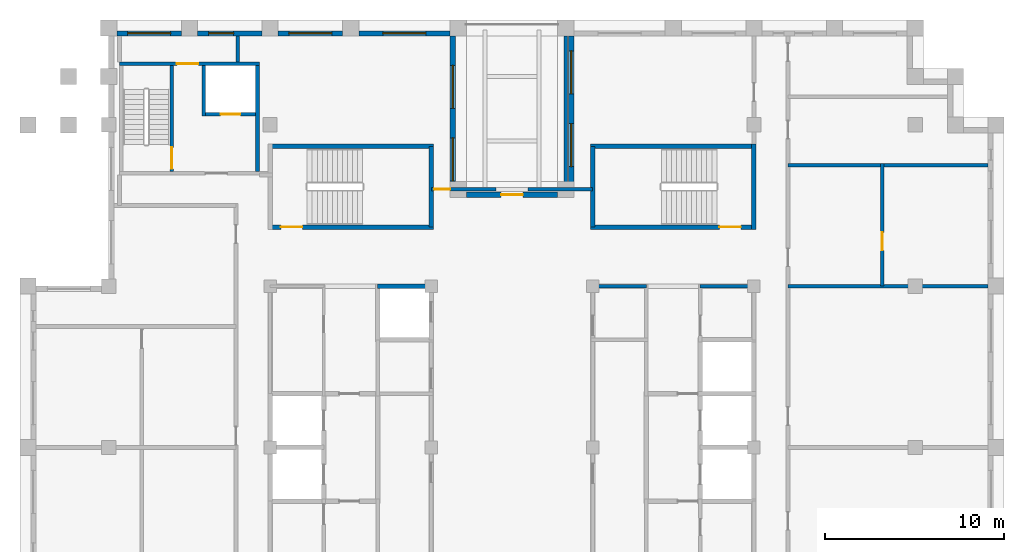
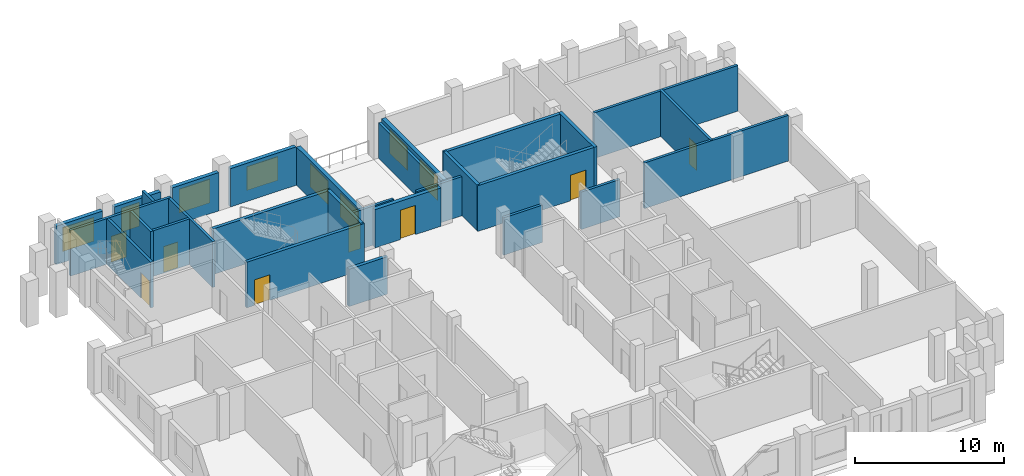
# One storey, part 6 of 9: 29 walls, 8 doors, 8 windows, 16 openings.
"""IFC4 building model written with IfcOpenShell, lengths in metres."""

import ifcopenshell
import ifcopenshell.guid

model = None  # the IFC model being written
_history = None  # IfcOwnerHistory: only IFC2X3 demands one
_inside = {}  # id of a spatial element -> (the spatial element, [elements in it])
_under = {}  # id of a project, library or spatial element -> (it, [spatial elements below it])
_declared = {}  # id of a project -> (the project, [libraries it declares])
_typed = {}  # id of a type object -> (the type object, [elements of that type])
_made_of = {}  # id of a material, layer set ... -> (it, [elements and type objects made of it])


def new_model(schema):
    """Start an empty IFC model of exactly this schema.

    Asked for "IFC4X3", IfcOpenShell would pick the latest addendum, in which some entities
    have other attributes; the version numbers below select the first issue.
    IFC2X3 requires an IfcOwnerHistory on every rooted entity: one is made here for all.
    """
    global model, _history
    if schema == "IFC4X3":
        model = ifcopenshell.file(schema_version=(4, 3, 0, 0))
    else:
        model = ifcopenshell.file(schema=schema)
    _inside.clear()
    _under.clear()
    _declared.clear()
    _typed.clear()
    _made_of.clear()
    _history = None
    if model.schema == "IFC2X3":
        org = make("IfcOrganization", Name="unknown")
        user = make(
            "IfcPersonAndOrganization",
            ThePerson=make("IfcPerson", FamilyName="unknown"),
            TheOrganization=org,
        )
        app = make(
            "IfcApplication",
            ApplicationDeveloper=org,
            Version="unknown",
            ApplicationFullName="unknown",
            ApplicationIdentifier="unknown",
        )
        _history = make(
            "IfcOwnerHistory",
            OwningUser=user,
            OwningApplication=app,
            ChangeAction="ADDED",
            CreationDate=0,
        )
    return model


def make(cls, **values):
    """One entity of the class cls with the attributes given. An attribute that is None is left unset."""
    return model.create_entity(
        cls, **{name: value for name, value in values.items() if value is not None}
    )


def rooted(cls, **values):
    """An entity with a GlobalId (a new one), such as an element, a storey or a relation."""
    return make(cls, GlobalId=ifcopenshell.guid.new(), OwnerHistory=_history, **values)


def si_unit(unit_type, name, prefix=None):
    """IfcSIUnit, for example si_unit("LENGTHUNIT", "METRE", prefix="MILLI")."""
    return make("IfcSIUnit", UnitType=unit_type, Prefix=prefix, Name=name)


def assignment(units):
    """IfcUnitAssignment: the units of a project."""
    return None if units is None else make("IfcUnitAssignment", Units=units)


def point(xyz):
    """IfcCartesianPoint."""
    return None if xyz is None else make("IfcCartesianPoint", Coordinates=xyz)


def direction(xyz):
    """IfcDirection."""
    return None if xyz is None else make("IfcDirection", DirectionRatios=xyz)


def frame(location, z_axis=None, x_axis=None):
    """IfcAxis2Placement3D, a coordinate frame: its origin and axes. An axis left out is left unset."""
    return make(
        "IfcAxis2Placement3D",
        Location=point(location),
        Axis=direction(z_axis),
        RefDirection=direction(x_axis),
    )


def frame_2d(location, x_axis=None):
    """IfcAxis2Placement2D, a coordinate frame in the plane: its origin and x axis."""
    return make(
        "IfcAxis2Placement2D", Location=point(location), RefDirection=direction(x_axis)
    )


def origin():
    """The frame at (0, 0, 0) with its axes left unset."""
    return frame((0.0, 0.0, 0.0))


def place(relative_to, where):
    """IfcLocalPlacement: puts the frame where relative to a parent placement (None: the world)."""
    return make(
        "IfcLocalPlacement", PlacementRelTo=relative_to, RelativePlacement=where
    )


def context(
    kind, dimensions, precision=None, world=None, true_north=None, identifier=None
):
    """IfcGeometricRepresentationContext, for example the 3D "Model" context."""
    return make(
        "IfcGeometricRepresentationContext",
        ContextIdentifier=identifier,
        ContextType=kind,
        CoordinateSpaceDimension=dimensions,
        Precision=precision,
        WorldCoordinateSystem=world,
        TrueNorth=true_north,
    )


def subcontext(parent, identifier, kind, view, scale=None):
    """IfcGeometricRepresentationSubContext, for example "Body" below "Model"."""
    return make(
        "IfcGeometricRepresentationSubContext",
        ContextIdentifier=identifier,
        ContextType=kind,
        ParentContext=parent,
        TargetScale=scale,
        TargetView=view,
    )


def project(units=None, contexts=None):
    """IfcProject with its units and contexts."""
    return rooted(
        "IfcProject",
        Name="project",
        RepresentationContexts=contexts,
        UnitsInContext=assignment(units),
    )


def spatial(cls, under=None, at=None, **own):
    """A site, building, storey or space (cls), placed at a placement, below another one or the project."""
    s = rooted(cls, ObjectPlacement=at, **own)
    if under is not None:
        _under.setdefault(under.id(), (under, []))[1].append(s)
    return s


def profile(cls, at=None, kind="AREA", **sizes):
    """A parametric profile (cls). Its sizes go by their IFC names, for example OverallWidth=200.0."""
    return make(cls, ProfileType=kind, Position=at, **sizes)


def rectangle(**sizes):
    """IfcRectangleProfileDef."""
    return profile("IfcRectangleProfileDef", **sizes)


def extrude(swept, where, along, depth):
    """IfcExtrudedAreaSolid: the profile swept, set in the frame where, extruded along a direction by depth."""
    return make(
        "IfcExtrudedAreaSolid",
        SweptArea=swept,
        Position=where,
        ExtrudedDirection=direction(along),
        Depth=depth,
    )


def shape(context_of_items, identifier, shape_type, items):
    """IfcShapeRepresentation: the items that make up one representation, for example the "Body"."""
    return make(
        "IfcShapeRepresentation",
        ContextOfItems=context_of_items,
        RepresentationIdentifier=identifier,
        RepresentationType=shape_type,
        Items=items,
    )


def material(Name=None, Category=None):
    """IfcMaterial."""
    return make("IfcMaterial", Name=Name, Category=Category)


def layer(
    of_material, thickness, ventilated=None, Name=None, Category=None, Priority=None
):
    """IfcMaterialLayer: one layer of a wall or slab, of a material (None: an air gap)."""
    return make(
        "IfcMaterialLayer",
        Material=of_material,
        LayerThickness=thickness,
        IsVentilated=ventilated,
        Name=Name,
        Category=Category,
        Priority=Priority,
    )


def layer_set(layers, Name=None):
    """IfcMaterialLayerSet."""
    return make("IfcMaterialLayerSet", MaterialLayers=layers, LayerSetName=Name)


def made_of(thing, what):
    """Note that an element or type object is made of a material, layer set ...; save() writes the relation."""
    if what is not None:
        _made_of.setdefault(what.id(), (what, []))[1].append(thing)
    return thing


def type_object(cls, material=None, **own):
    """A type object (cls), such as IfcWallType, which elements share."""
    return made_of(rooted(cls, **own), material)


def element(
    cls,
    number,
    at=None,
    inside=None,
    cuts=None,
    type_object=None,
    material=None,
    context=None,
    identifier="Body",
    shape_type=None,
    held_by="IfcProductDefinitionShape",
    body=None,
    shapes=None,
    **own,
):
    """One element of the class cls, such as IfcWall. Its Tag is "e" and its number.

    at: its placement. inside: the storey or other place that contains it. cuts: it is an
    opening in that element (IfcRelVoidsElement). A single representation is given by context,
    identifier, shape_type and body (its items); several are given by shapes. held_by: the class
    of the entity that holds the representations. save() writes the other relations.
    """
    e = rooted(cls, Tag="e%d" % number, ObjectPlacement=at, **own)
    if body is not None:
        shapes = [shape(context, identifier, shape_type, body)]
    if shapes is not None:
        e.Representation = make(held_by, Representations=shapes)
    if inside is not None:
        _inside.setdefault(inside.id(), (inside, []))[1].append(e)
    if cuts is not None:
        rooted(
            "IfcRelVoidsElement", RelatingBuildingElement=cuts, RelatedOpeningElement=e
        )
    if type_object is not None:
        _typed.setdefault(type_object.id(), (type_object, []))[1].append(e)
    return made_of(e, material)


def fill(opening, filler):
    """IfcRelFillsElement: the door or window that sits in an opening."""
    return rooted(
        "IfcRelFillsElement",
        RelatingOpeningElement=opening,
        RelatedBuildingElement=filler,
    )


def aggregate(whole, parts):
    """IfcRelAggregates: a whole, such as a stair, and the parts it consists of."""
    return rooted("IfcRelAggregates", RelatingObject=whole, RelatedObjects=parts)


def save(model, path):
    """Write the relations noted so far, then the file.

    IfcRelAggregates (storeys below a building ...), IfcRelContainedInSpatialStructure (elements
    in a storey), IfcRelDefinesByType, IfcRelAssociatesMaterial and IfcRelDeclares: one each for
    every whole, place, type object, material and project.
    """
    for whole, parts in _under.values():
        aggregate(whole, parts)
    for where, things in _inside.values():
        rooted(
            "IfcRelContainedInSpatialStructure",
            RelatedElements=things,
            RelatingStructure=where,
        )
    for kind, things in _typed.values():
        rooted("IfcRelDefinesByType", RelatedObjects=things, RelatingType=kind)
    for what, things in _made_of.values():
        rooted("IfcRelAssociatesMaterial", RelatedObjects=things, RelatingMaterial=what)
    for by, libraries in _declared.values():
        rooted("IfcRelDeclares", RelatingContext=by, RelatedDefinitions=libraries)
    model.write(path)


model = new_model("IFC4")

# Units and contexts
model_context = context("Model", 3, precision=1e-05, world=origin(), true_north=direction((0.0, 1.0)))
body_context = subcontext(model_context, "Body", "Model", "MODEL_VIEW")
ifc_project = project(units=[si_unit("LENGTHUNIT", "METRE"), si_unit("AREAUNIT", "SQUARE_METRE"), si_unit("VOLUMEUNIT", "CUBIC_METRE"), si_unit("PLANEANGLEUNIT", "RADIAN"), si_unit("MASSUNIT", "GRAM", prefix="KILO")], contexts=[model_context])

# Site, building, storey
site_placement = place(None, origin())
site = spatial("IfcSite", under=ifc_project, at=site_placement, CompositionType="ELEMENT")
building_placement = place(site_placement, origin())
building = spatial("IfcBuilding", under=site, at=building_placement, Name="Corbelhall Arena Tower", CompositionType="ELEMENT")
storey_placement = place(building_placement, frame((0.0, 0.0, 300.0)))
storey = spatial("IfcBuildingStorey", under=building, at=storey_placement, Name="L65", CompositionType="ELEMENT", Elevation=300.0)

# Wall, openings, windows
ifc_material_1 = material(Name="Precast concrete C40/50 with granite facing", Category="masonry")
ifc_layer_1 = layer(ifc_material_1, 0.300048828125)
ifc_layer_set_1 = layer_set([ifc_layer_1], Name="EV-IW1 Infill panel 300")
wall_type_1 = type_object("IfcWallType", Name="EV-IW1 Infill panel 300", PredefinedType="SOLIDWALL", material=ifc_layer_set_1)
wall_1_placement = place(storey_placement, frame((3.300048828125, 22.949951171875, 0.0), z_axis=(0.0, 0.0, 1.0), x_axis=(0.0, -1.0, 0.0)))
wall_1 = element("IfcWall", 1, at=wall_1_placement, inside=storey, type_object=wall_type_1, Name="Infill panel IW1", PredefinedType="SOLIDWALL", context=body_context, shape_type="SweptSolid", body=[
    extrude(rectangle(XDim=8.5, YDim=0.300048828125, at=frame_2d((4.25, 0.0))), origin(), (0.0, 0.0, 1.0), 3.139892578125),
])
opening_1_placement = place(wall_1_placement, frame((0.824951171875, 0.0, 0.800048828125)))
opening_1 = element("IfcOpeningElement", 2, at=opening_1_placement, cuts=wall_1, Name="Opening WN1", PredefinedType="OPENING", context=body_context, shape_type="SweptSolid", body=[
    extrude(rectangle(XDim=2.39990234375, YDim=1.949951171875, at=frame_2d((1.199951171875, 0.97509765625))), frame((0.0, 0.14990234375, 0.0), z_axis=(0.0, -1.0, 0.0), x_axis=(1.0, 0.0, 0.0)), (0.0, 0.0, 1.0), 0.300048828125),
])
opening_2_placement = place(wall_1_placement, frame((4.875, 0.0, 0.800048828125)))
opening_2 = element("IfcOpeningElement", 3, at=opening_2_placement, cuts=wall_1, Name="Opening WN1", PredefinedType="OPENING", context=body_context, shape_type="SweptSolid", body=[
    extrude(rectangle(XDim=2.39990234375, YDim=1.949951171875, at=frame_2d((1.199951171875, 0.97509765625))), frame((0.0, 0.14990234375, 0.0), z_axis=(0.0, -1.0, 0.0), x_axis=(1.0, 0.0, 0.0)), (0.0, 0.0, 1.0), 0.300048828125),
])
ifc_material_2 = material(Name="Aluminium black anodised", Category="aluminium")
window_type_1 = type_object("IfcWindowType", Name="EV-WN1 Office window", PartitioningType="SINGLE_PANEL", PredefinedType="WINDOW", material=ifc_material_2)
window_1_placement = place(opening_1_placement, origin())
window_1 = element("IfcWindow", 4, at=window_1_placement, inside=storey, type_object=window_type_1, Name="Window WN1", OverallHeight=1.949951171875, OverallWidth=2.39990234375, PartitioningType="SINGLE_PANEL", PredefinedType="WINDOW", context=body_context, shape_type="SweptSolid", body=[
    extrude(rectangle(XDim=2.39990234375, YDim=1.949951171875, at=frame_2d((1.199951171875, 0.97509765625))), frame((0.0, 0.030029296875, 0.0), z_axis=(0.0, -1.0, 0.0), x_axis=(1.0, 0.0, 0.0)), (0.0, 0.0, 1.0), 0.06005859375),
])
fill(opening_1, window_1)
window_2_placement = place(opening_2_placement, origin())
window_2 = element("IfcWindow", 5, at=window_2_placement, inside=storey, type_object=window_type_1, Name="Window WN1", OverallHeight=1.949951171875, OverallWidth=2.39990234375, PartitioningType="SINGLE_PANEL", PredefinedType="WINDOW", context=body_context, shape_type="SweptSolid", body=[
    extrude(rectangle(XDim=2.39990234375, YDim=1.949951171875, at=frame_2d((1.199951171875, 0.97509765625))), frame((0.0, 0.030029296875, 0.0), z_axis=(0.0, -1.0, 0.0), x_axis=(1.0, 0.0, 0.0)), (0.0, 0.0, 1.0), 0.06005859375),
])
fill(opening_2, window_2)

# Wall, opening, door
wall_2_placement = place(storey_placement, frame((-2.550048828125, 14.10009765625, 0.0), z_axis=(0.0, 0.0, 1.0), x_axis=(1.0, 0.0, 0.0)))
wall_2 = element("IfcWall", 6, at=wall_2_placement, inside=storey, type_object=wall_type_1, Name="Infill panel IW1", PredefinedType="SOLIDWALL", context=body_context, shape_type="SweptSolid", body=[
    extrude(rectangle(XDim=5.10009765625, YDim=0.300048828125, at=frame_2d((2.550048828125, 0.0))), origin(), (0.0, 0.0, 1.0), 3.139892578125),
])
opening_3_placement = place(wall_2_placement, frame((1.949951171875, 0.0, 0.0)))
opening_3 = element("IfcOpeningElement", 7, at=opening_3_placement, cuts=wall_2, Name="Opening ED1", PredefinedType="OPENING", context=body_context, shape_type="SweptSolid", body=[
    extrude(rectangle(XDim=1.199951171875, YDim=2.39990234375, at=frame_2d((0.60009765625, 1.199951171875))), frame((0.0, 0.14990234375, 0.0), z_axis=(0.0, -1.0, 0.0), x_axis=(1.0, 0.0, 0.0)), (0.0, 0.0, 1.0), 0.300048828125),
])
door_type_1 = type_object("IfcDoorType", Name="EV-ED1 Terrace door", OperationType="SINGLE_SWING_LEFT", PredefinedType="DOOR", material=ifc_material_2)
door_1_placement = place(opening_3_placement, origin())
door_1 = element("IfcDoor", 8, at=door_1_placement, inside=storey, type_object=door_type_1, Name="Terrace door", OperationType="SINGLE_SWING_LEFT", OverallHeight=2.39990234375, OverallWidth=1.199951171875, PredefinedType="DOOR", context=body_context, shape_type="SweptSolid", body=[
    extrude(rectangle(XDim=1.199951171875, YDim=2.39990234375, at=frame_2d((0.60009765625, 1.199951171875))), frame((0.0, 0.02490234375, 0.0), z_axis=(0.0, -1.0, 0.0), x_axis=(1.0, 0.0, 0.0)), (0.0, 0.0, 1.0), 0.050048828125),
])
fill(opening_3, door_1)

# Wall, openings, windows
wall_3_placement = place(storey_placement, frame((-3.300048828125, 14.449951171875, 0.0), z_axis=(0.0, 0.0, 1.0), x_axis=(0.0, 1.0, 0.0)))
wall_3 = element("IfcWall", 9, at=wall_3_placement, inside=storey, type_object=wall_type_1, Name="Infill panel IW1", PredefinedType="SOLIDWALL", context=body_context, shape_type="SweptSolid", body=[
    extrude(rectangle(XDim=8.5, YDim=0.300048828125, at=frame_2d((4.25, 0.0))), origin(), (0.0, 0.0, 1.0), 3.139892578125),
])
opening_4_placement = place(wall_3_placement, frame((0.425048828125, 0.0, 0.800048828125)))
opening_4 = element("IfcOpeningElement", 10, at=opening_4_placement, cuts=wall_3, Name="Opening WN1", PredefinedType="OPENING", context=body_context, shape_type="SweptSolid", body=[
    extrude(rectangle(XDim=2.39990234375, YDim=1.949951171875, at=frame_2d((1.199951171875, 0.97509765625))), frame((0.0, 0.14990234375, 0.0), z_axis=(0.0, -1.0, 0.0), x_axis=(1.0, 0.0, 0.0)), (0.0, 0.0, 1.0), 0.300048828125),
])
opening_5_placement = place(wall_3_placement, frame((4.47509765625, 0.0, 0.800048828125)))
opening_5 = element("IfcOpeningElement", 11, at=opening_5_placement, cuts=wall_3, Name="Opening WN1", PredefinedType="OPENING", context=body_context, shape_type="SweptSolid", body=[
    extrude(rectangle(XDim=2.39990234375, YDim=1.949951171875, at=frame_2d((1.199951171875, 0.97509765625))), frame((0.0, 0.14990234375, 0.0), z_axis=(0.0, -1.0, 0.0), x_axis=(1.0, 0.0, 0.0)), (0.0, 0.0, 1.0), 0.300048828125),
])
window_3_placement = place(opening_4_placement, origin())
window_3 = element("IfcWindow", 12, at=window_3_placement, inside=storey, type_object=window_type_1, Name="Window WN1", OverallHeight=1.949951171875, OverallWidth=2.39990234375, PartitioningType="SINGLE_PANEL", PredefinedType="WINDOW", context=body_context, shape_type="SweptSolid", body=[
    extrude(rectangle(XDim=2.39990234375, YDim=1.949951171875, at=frame_2d((1.199951171875, 0.97509765625))), frame((0.0, 0.030029296875, 0.0), z_axis=(0.0, -1.0, 0.0), x_axis=(1.0, 0.0, 0.0)), (0.0, 0.0, 1.0), 0.06005859375),
])
fill(opening_4, window_3)
window_4_placement = place(opening_5_placement, origin())
window_4 = element("IfcWindow", 13, at=window_4_placement, inside=storey, type_object=window_type_1, Name="Window WN1", OverallHeight=1.949951171875, OverallWidth=2.39990234375, PartitioningType="SINGLE_PANEL", PredefinedType="WINDOW", context=body_context, shape_type="SweptSolid", body=[
    extrude(rectangle(XDim=2.39990234375, YDim=1.949951171875, at=frame_2d((1.199951171875, 0.97509765625))), frame((0.0, 0.030029296875, 0.0), z_axis=(0.0, -1.0, 0.0), x_axis=(1.0, 0.0, 0.0)), (0.0, 0.0, 1.0), 0.06005859375),
])
fill(opening_5, window_4)

# Wall, opening, window
wall_4_placement = place(storey_placement, frame((-3.449951171875, 23.10009765625, 0.0), z_axis=(0.0, 0.0, 1.0), x_axis=(-1.0, 0.0, 0.0)))
wall_4 = element("IfcWall", 14, at=wall_4_placement, inside=storey, type_object=wall_type_1, Name="Infill panel IW1", PredefinedType="SOLIDWALL", context=body_context, shape_type="SweptSolid", body=[
    extrude(rectangle(XDim=5.10009765625, YDim=0.300048828125, at=frame_2d((2.550048828125, 0.0))), origin(), (0.0, 0.0, 1.0), 3.139892578125),
])
opening_6_placement = place(wall_4_placement, frame((1.35009765625, 0.0, 0.800048828125)))
opening_6 = element("IfcOpeningElement", 15, at=opening_6_placement, cuts=wall_4, Name="Opening WN1", PredefinedType="OPENING", context=body_context, shape_type="SweptSolid", body=[
    extrude(rectangle(XDim=2.39990234375, YDim=1.949951171875, at=frame_2d((1.199951171875, 0.97509765625))), frame((0.0, 0.14990234375, 0.0), z_axis=(0.0, -1.0, 0.0), x_axis=(1.0, 0.0, 0.0)), (0.0, 0.0, 1.0), 0.300048828125),
])
window_5_placement = place(opening_6_placement, origin())
window_5 = element("IfcWindow", 16, at=window_5_placement, inside=storey, type_object=window_type_1, Name="Window WN1", OverallHeight=1.949951171875, OverallWidth=2.39990234375, PartitioningType="SINGLE_PANEL", PredefinedType="WINDOW", context=body_context, shape_type="SweptSolid", body=[
    extrude(rectangle(XDim=2.39990234375, YDim=1.949951171875, at=frame_2d((1.199951171875, 0.97509765625))), frame((0.0, 0.030029296875, 0.0), z_axis=(0.0, -1.0, 0.0), x_axis=(1.0, 0.0, 0.0)), (0.0, 0.0, 1.0), 0.06005859375),
])
fill(opening_6, window_5)

wall_5_placement = place(storey_placement, frame((-9.449951171875, 23.10009765625, 0.0), z_axis=(0.0, 0.0, 1.0), x_axis=(-1.0, 0.0, 0.0)))
wall_5 = element("IfcWall", 17, at=wall_5_placement, inside=storey, type_object=wall_type_1, Name="Infill panel IW1", PredefinedType="SOLIDWALL", context=body_context, shape_type="SweptSolid", body=[
    extrude(rectangle(XDim=3.60009765625, YDim=0.300048828125, at=frame_2d((1.800048828125, 0.0))), origin(), (0.0, 0.0, 1.0), 3.139892578125),
])
opening_7_placement = place(wall_5_placement, frame((0.60009765625, 0.0, 0.800048828125)))
opening_7 = element("IfcOpeningElement", 18, at=opening_7_placement, cuts=wall_5, Name="Opening WN1", PredefinedType="OPENING", context=body_context, shape_type="SweptSolid", body=[
    extrude(rectangle(XDim=2.39990234375, YDim=1.949951171875, at=frame_2d((1.199951171875, 0.97509765625))), frame((0.0, 0.14990234375, 0.0), z_axis=(0.0, -1.0, 0.0), x_axis=(1.0, 0.0, 0.0)), (0.0, 0.0, 1.0), 0.300048828125),
])
window_6_placement = place(opening_7_placement, origin())
window_6 = element("IfcWindow", 19, at=window_6_placement, inside=storey, type_object=window_type_1, Name="Window WN1", OverallHeight=1.949951171875, OverallWidth=2.39990234375, PartitioningType="SINGLE_PANEL", PredefinedType="WINDOW", context=body_context, shape_type="SweptSolid", body=[
    extrude(rectangle(XDim=2.39990234375, YDim=1.949951171875, at=frame_2d((1.199951171875, 0.97509765625))), frame((0.0, 0.030029296875, 0.0), z_axis=(0.0, -1.0, 0.0), x_axis=(1.0, 0.0, 0.0)), (0.0, 0.0, 1.0), 0.06005859375),
])
fill(opening_7, window_6)

wall_6_placement = place(storey_placement, frame((-13.949951171875, 23.10009765625, 0.0), z_axis=(0.0, 0.0, 1.0), x_axis=(-1.0, 0.0, 0.0)))
wall_6 = element("IfcWall", 20, at=wall_6_placement, inside=storey, type_object=wall_type_1, Name="Infill panel IW1", PredefinedType="SOLIDWALL", context=body_context, shape_type="SweptSolid", body=[
    extrude(rectangle(XDim=3.60009765625, YDim=0.300048828125, at=frame_2d((1.800048828125, 0.0))), origin(), (0.0, 0.0, 1.0), 3.139892578125),
])
opening_8_placement = place(wall_6_placement, frame((1.574951171875, 0.0, 0.800048828125)))
opening_8 = element("IfcOpeningElement", 21, at=opening_8_placement, cuts=wall_6, Name="Opening WN7", PredefinedType="OPENING", context=body_context, shape_type="SweptSolid", body=[
    extrude(rectangle(XDim=1.39990234375, YDim=1.949951171875, at=frame_2d((0.699951171875, 0.97509765625))), frame((0.0, 0.14990234375, 0.0), z_axis=(0.0, -1.0, 0.0), x_axis=(1.0, 0.0, 0.0)), (0.0, 0.0, 1.0), 0.300048828125),
])
window_type_2 = type_object("IfcWindowType", Name="EV-WN7 Office window 1400", PartitioningType="SINGLE_PANEL", PredefinedType="WINDOW", material=ifc_material_2)
window_7_placement = place(opening_8_placement, origin())
window_7 = element("IfcWindow", 22, at=window_7_placement, inside=storey, type_object=window_type_2, Name="Window WN7", OverallHeight=1.949951171875, OverallWidth=1.39990234375, PartitioningType="SINGLE_PANEL", PredefinedType="WINDOW", context=body_context, shape_type="SweptSolid", body=[
    extrude(rectangle(XDim=1.39990234375, YDim=1.949951171875, at=frame_2d((0.699951171875, 0.97509765625))), frame((0.0, 0.030029296875, 0.0), z_axis=(0.0, -1.0, 0.0), x_axis=(1.0, 0.0, 0.0)), (0.0, 0.0, 1.0), 0.06005859375),
])
fill(opening_8, window_7)

wall_7_placement = place(storey_placement, frame((-18.449951171875, 23.10009765625, 0.0), z_axis=(0.0, 0.0, 1.0), x_axis=(-1.0, 0.0, 0.0)))
wall_7 = element("IfcWall", 23, at=wall_7_placement, inside=storey, type_object=wall_type_1, Name="Infill panel IW1", PredefinedType="SOLIDWALL", context=body_context, shape_type="SweptSolid", body=[
    extrude(rectangle(XDim=3.60009765625, YDim=0.300048828125, at=frame_2d((1.800048828125, 0.0))), origin(), (0.0, 0.0, 1.0), 3.139892578125),
])
opening_9_placement = place(wall_7_placement, frame((0.60009765625, 0.0, 0.800048828125)))
opening_9 = element("IfcOpeningElement", 24, at=opening_9_placement, cuts=wall_7, Name="Opening WN1", PredefinedType="OPENING", context=body_context, shape_type="SweptSolid", body=[
    extrude(rectangle(XDim=2.39990234375, YDim=1.949951171875, at=frame_2d((1.199951171875, 0.97509765625))), frame((0.0, 0.14990234375, 0.0), z_axis=(0.0, -1.0, 0.0), x_axis=(1.0, 0.0, 0.0)), (0.0, 0.0, 1.0), 0.300048828125),
])
window_8_placement = place(opening_9_placement, origin())
window_8 = element("IfcWindow", 25, at=window_8_placement, inside=storey, type_object=window_type_1, Name="Window WN1", OverallHeight=1.949951171875, OverallWidth=2.39990234375, PartitioningType="SINGLE_PANEL", PredefinedType="WINDOW", context=body_context, shape_type="SweptSolid", body=[
    extrude(rectangle(XDim=2.39990234375, YDim=1.949951171875, at=frame_2d((1.199951171875, 0.97509765625))), frame((0.0, 0.030029296875, 0.0), z_axis=(0.0, -1.0, 0.0), x_axis=(1.0, 0.0, 0.0)), (0.0, 0.0, 1.0), 0.06005859375),
])
fill(opening_9, window_8)

# Walls
ifc_material_3 = material(Name="Gypsum board on steel stud, acoustic", Category="steel")
ifc_layer_2 = layer(ifc_material_3, 0.199951171875)
ifc_layer_set_2 = layer_set([ifc_layer_2], Name="IN-W-DM200")
wall_type_2 = type_object("IfcWallType", Name="IN-W-DM200", PredefinedType="PARTITIONING", material=ifc_layer_set_2)
wall_8_placement = place(storey_placement, frame((-15.300048828125, 22.949951171875, 0.0), z_axis=(0.0, 0.0, 1.0), x_axis=(0.0, -1.0, 0.0)))
element("IfcWall", 26, at=wall_8_placement, inside=storey, type_object=wall_type_2, Name="Partition 011", PredefinedType="PARTITIONING", context=body_context, shape_type="SweptSolid", body=[
    extrude(rectangle(XDim=1.449951171875, YDim=0.199951171875, at=frame_2d((0.72509765625, 0.0))), origin(), (0.0, 0.0, 1.0), 3.739990234375),
])
for number, where, z_axis, x_axis, name in (
    (27, (15.39990234375, 9.0, 0.0), (0.0, 0.0, 1.0), (1.0, 0.0, 0.0), "Partition 024"),
    (28, (15.39990234375, 15.75, 0.0), (0.0, 0.0, 1.0), (1.0, 0.0, 0.0), "Partition 025"),
):
    element("IfcWall", number, at=place(storey_placement, frame(where, z_axis=z_axis, x_axis=x_axis)), inside=storey, type_object=wall_type_2, Name=name, PredefinedType="PARTITIONING", context=body_context, shape_type="SweptSolid", body=[
        extrude(rectangle(XDim=11.150146484375, YDim=0.199951171875, at=frame_2d((5.5751953125, 0.0))), origin(), (0.0, 0.0, 1.0), 3.739990234375),
    ])

# Wall, opening, door
wall_9_placement = place(storey_placement, frame((20.64990234375, 15.85009765625, 0.0), z_axis=(0.0, 0.0, 1.0), x_axis=(0.0, -1.0, 0.0)))
wall_9 = element("IfcWall", 29, at=wall_9_placement, inside=storey, type_object=wall_type_2, Name="Partition 027", PredefinedType="PARTITIONING", context=body_context, shape_type="SweptSolid", body=[
    extrude(rectangle(XDim=6.85009765625, YDim=0.199951171875, at=frame_2d((3.425048828125, 0.0))), origin(), (0.0, 0.0, 1.0), 3.739990234375),
])
opening_10_placement = place(wall_9_placement, frame((3.85009765625, 0.0, 0.0)))
opening_10 = element("IfcOpeningElement", 30, at=opening_10_placement, cuts=wall_9, Name="Opening 21031", PredefinedType="OPENING", context=body_context, shape_type="SweptSolid", body=[
    extrude(rectangle(XDim=1.0, YDim=2.10009765625, at=frame_2d((0.5, 1.050048828125))), frame((0.0, 0.10009765625, 0.0), z_axis=(0.0, -1.0, 0.0), x_axis=(1.0, 0.0, 0.0)), (0.0, 0.0, 1.0), 0.199951171875),
])
ifc_material_4 = material(Name="Steel door set", Category="steel")
door_type_2 = type_object("IfcDoorType", Name="IN-D-SW100", OperationType="NOTDEFINED", PredefinedType="DOOR", material=ifc_material_4)
door_2_placement = place(opening_10_placement, origin())
door_2 = element("IfcDoor", 31, at=door_2_placement, inside=storey, type_object=door_type_2, Name="Door 031", OperationType="SINGLE_SWING_RIGHT", OverallHeight=2.10009765625, OverallWidth=1.0, PredefinedType="DOOR", context=body_context, shape_type="SweptSolid", body=[
    extrude(rectangle(XDim=1.0, YDim=2.10009765625, at=frame_2d((0.5, 1.050048828125))), frame((0.0, 0.02490234375, 0.0), z_axis=(0.0, -1.0, 0.0), x_axis=(1.0, 0.0, 0.0)), (0.0, 0.0, 1.0), 0.050048828125),
])
fill(opening_10, door_2)

ifc_layer_3 = layer(ifc_material_3, 0.199951171875)
ifc_layer_set_3 = layer_set([ifc_layer_3], Name="IN-W-DM200 under beam 533 mm")
wall_type_3 = type_object("IfcWallType", Name="IN-W-DM200 under beam 533 mm", PredefinedType="PARTITIONING", material=ifc_layer_set_3)
wall_10_placement = place(storey_placement, frame((-4.5, 14.39990234375, 0.0), z_axis=(0.0, 0.0, 1.0), x_axis=(1.0, 0.0, 0.0)))
wall_10 = element("IfcWall", 32, at=wall_10_placement, inside=storey, type_object=wall_type_3, Name="Partition 014", PredefinedType="PARTITIONING", context=body_context, shape_type="SweptSolid", body=[
    extrude(rectangle(XDim=3.60009765625, YDim=0.199951171875, at=frame_2d((1.800048828125, 0.0))), origin(), (0.0, 0.0, 1.0), 3.20654296875),
])
opening_11_placement = place(wall_10_placement, frame((0.14990234375, 0.0, 0.0)))
opening_11 = element("IfcOpeningElement", 33, at=opening_11_placement, cuts=wall_10, Name="Opening 21037", PredefinedType="OPENING", context=body_context, shape_type="SweptSolid", body=[
    extrude(rectangle(XDim=0.89990234375, YDim=2.10009765625, at=frame_2d((0.449951171875, 1.050048828125))), frame((0.0, 0.10009765625, 0.0), z_axis=(0.0, -1.0, 0.0), x_axis=(1.0, 0.0, 0.0)), (0.0, 0.0, 1.0), 0.199951171875),
])
ifc_material_5 = material(Name="Timber door set", Category="wood")
door_type_3 = type_object("IfcDoorType", Name="IN-D-SW90", OperationType="NOTDEFINED", PredefinedType="DOOR", material=ifc_material_5)
door_3_placement = place(opening_11_placement, origin())
door_3 = element("IfcDoor", 34, at=door_3_placement, inside=storey, type_object=door_type_3, Name="Door 037", OperationType="SINGLE_SWING_LEFT", OverallHeight=2.10009765625, OverallWidth=0.89990234375, PredefinedType="DOOR", context=body_context, shape_type="SweptSolid", body=[
    extrude(rectangle(XDim=0.89990234375, YDim=2.10009765625, at=frame_2d((0.449951171875, 1.050048828125))), frame((0.0, 0.02490234375, 0.0), z_axis=(0.0, -1.0, 0.0), x_axis=(1.0, 0.0, 0.0)), (0.0, 0.0, 1.0), 0.050048828125),
])
fill(opening_11, door_3)

# Walls
wall_11_placement = place(storey_placement, frame((0.89990234375, 14.39990234375, 0.0), z_axis=(0.0, 0.0, 1.0), x_axis=(1.0, 0.0, 0.0)))
element("IfcWall", 35, at=wall_11_placement, inside=storey, type_object=wall_type_3, Name="Partition 016", PredefinedType="PARTITIONING", context=body_context, shape_type="SweptSolid", body=[
    extrude(rectangle(XDim=3.60009765625, YDim=0.199951171875, at=frame_2d((1.800048828125, 0.0))), origin(), (0.0, 0.0, 1.0), 3.20654296875),
])
ifc_layer_4 = layer(ifc_material_3, 0.199951171875)
ifc_layer_set_4 = layer_set([ifc_layer_4], Name="IN-W-DM200 under beam 846 mm")
wall_type_4 = type_object("IfcWallType", Name="IN-W-DM200 under beam 846 mm", PredefinedType="PARTITIONING", material=ifc_layer_set_4)
wall_12_placement = place(storey_placement, frame((3.0, 22.949951171875, 0.0), z_axis=(0.0, 0.0, 1.0), x_axis=(0.0, -1.0, 0.0)))
element("IfcWall", 36, at=wall_12_placement, inside=storey, type_object=wall_type_4, Name="Partition 018", PredefinedType="PARTITIONING", context=body_context, shape_type="SweptSolid", body=[
    extrude(rectangle(XDim=8.550048828125, YDim=0.199951171875, at=frame_2d((4.27490234375, 0.0))), origin(), (0.0, 0.0, 1.0), 2.894287109375),
])

# Wall, opening, door
ifc_material_6 = material(Name="Concrete C40/50", Category="concrete")
ifc_layer_5 = layer(ifc_material_6, 0.199951171875)
ifc_layer_set_5 = layer_set([ifc_layer_5], Name="IN-W-EAR200")
wall_type_5 = type_object("IfcWallType", Name="IN-W-EAR200", PredefinedType="SOLIDWALL", material=ifc_layer_set_5)
wall_13_placement = place(storey_placement, frame((-21.89990234375, 21.39990234375, 0.0), z_axis=(0.0, 0.0, 1.0), x_axis=(1.0, 0.0, 0.0)))
wall_13 = element("IfcWall", 37, at=wall_13_placement, inside=storey, type_object=wall_type_5, Name="Fire service turret wall north", PredefinedType="SOLIDWALL", context=body_context, shape_type="SweptSolid", body=[
    extrude(rectangle(XDim=7.7998046875, YDim=0.199951171875, at=frame_2d((3.89990234375, 0.0))), origin(), (0.0, 0.0, 1.0), 3.739990234375),
])
opening_12_placement = place(wall_13_placement, frame((3.199951171875, 0.0, 0.0)))
opening_12 = element("IfcOpeningElement", 38, at=opening_12_placement, cuts=wall_13, Name="Opening E213", PredefinedType="OPENING", context=body_context, shape_type="SweptSolid", body=[
    extrude(rectangle(XDim=1.199951171875, YDim=2.10009765625, at=frame_2d((0.60009765625, 1.050048828125))), frame((0.0, 0.10009765625, 0.0), z_axis=(0.0, -1.0, 0.0), x_axis=(1.0, 0.0, 0.0)), (0.0, 0.0, 1.0), 0.199951171875),
])
door_type_4 = type_object("IfcDoorType", Name="IN-D-ST120", OperationType="NOTDEFINED", PredefinedType="DOOR", material=ifc_material_4)
door_4_placement = place(opening_12_placement, origin())
door_4 = element("IfcDoor", 39, at=door_4_placement, inside=storey, type_object=door_type_4, Name="Door from fire service lift lobby to the north gallery", OperationType="SINGLE_SWING_LEFT", OverallHeight=2.10009765625, OverallWidth=1.199951171875, PredefinedType="DOOR", context=body_context, shape_type="SweptSolid", body=[
    extrude(rectangle(XDim=1.199951171875, YDim=2.10009765625, at=frame_2d((0.60009765625, 1.050048828125))), frame((0.0, 0.02490234375, 0.0), z_axis=(0.0, -1.0, 0.0), x_axis=(1.0, 0.0, 0.0)), (0.0, 0.0, 1.0), 0.050048828125),
])
fill(opening_12, door_4)

# Wall
wall_14_placement = place(storey_placement, frame((-14.199951171875, 15.39990234375, 0.0), z_axis=(0.0, 0.0, 1.0), x_axis=(0.0, 1.0, 0.0)))
element("IfcWall", 40, at=wall_14_placement, inside=storey, type_object=wall_type_5, Name="Fire service turret wall east", PredefinedType="SOLIDWALL", context=body_context, shape_type="SweptSolid", body=[
    extrude(rectangle(XDim=5.900146484375, YDim=0.199951171875, at=frame_2d((2.9501953125, 0.0))), origin(), (0.0, 0.0, 1.0), 3.739990234375),
])

# Wall, opening, door
wall_15_placement = place(storey_placement, frame((-18.989990234375, 15.39990234375, 0.0), z_axis=(0.0, 0.0, 1.0), x_axis=(0.0, 1.0, 0.0)))
wall_15 = element("IfcWall", 41, at=wall_15_placement, inside=storey, type_object=wall_type_5, Name="Fire service turret wall stair", PredefinedType="SOLIDWALL", context=body_context, shape_type="SweptSolid", body=[
    extrude(rectangle(XDim=5.900146484375, YDim=0.199951171875, at=frame_2d((2.9501953125, 0.0))), origin(), (0.0, 0.0, 1.0), 3.739990234375),
])
opening_13_placement = place(wall_15_placement, frame((0.14990234375, 0.0, 0.0)))
opening_13 = element("IfcOpeningElement", 42, at=opening_13_placement, cuts=wall_15, Name="Opening E211", PredefinedType="OPENING", context=body_context, shape_type="SweptSolid", body=[
    extrude(rectangle(XDim=1.199951171875, YDim=2.10009765625, at=frame_2d((0.60009765625, 1.050048828125))), frame((0.0, 0.10009765625, 0.0), z_axis=(0.0, -1.0, 0.0), x_axis=(1.0, 0.0, 0.0)), (0.0, 0.0, 1.0), 0.199951171875),
])
door_5_placement = place(opening_13_placement, origin())
door_5 = element("IfcDoor", 43, at=door_5_placement, inside=storey, type_object=door_type_4, Name="Stair door to fire service lobby", OperationType="SINGLE_SWING_LEFT", OverallHeight=2.10009765625, OverallWidth=1.199951171875, PredefinedType="DOOR", context=body_context, shape_type="SweptSolid", body=[
    extrude(rectangle(XDim=1.199951171875, YDim=2.10009765625, at=frame_2d((0.60009765625, 1.050048828125))), frame((0.0, 0.02490234375, 0.0), z_axis=(0.0, -1.0, 0.0), x_axis=(1.0, 0.0, 0.0)), (0.0, 0.0, 1.0), 0.050048828125),
])
fill(opening_13, door_5)

# Wall
wall_16_placement = place(storey_placement, frame((-17.199951171875, 18.5, 0.0), z_axis=(0.0, 0.0, 1.0), x_axis=(0.0, 1.0, 0.0)))
element("IfcWall", 44, at=wall_16_placement, inside=storey, type_object=wall_type_5, Name="Fire service turret wall hoistway west", PredefinedType="SOLIDWALL", context=body_context, shape_type="SweptSolid", body=[
    extrude(rectangle(XDim=2.800048828125, YDim=0.199951171875, at=frame_2d((1.39990234375, 0.0))), origin(), (0.0, 0.0, 1.0), 3.739990234375),
])

# Wall, opening, door
wall_17_placement = place(storey_placement, frame((-17.10009765625, 18.60009765625, 0.0), z_axis=(0.0, 0.0, 1.0), x_axis=(1.0, 0.0, 0.0)))
wall_17 = element("IfcWall", 45, at=wall_17_placement, inside=storey, type_object=wall_type_5, Name="Fire service turret wall hoistway south", PredefinedType="SOLIDWALL", context=body_context, shape_type="SweptSolid", body=[
    extrude(rectangle(XDim=2.800048828125, YDim=0.199951171875, at=frame_2d((1.39990234375, 0.0))), origin(), (0.0, 0.0, 1.0), 3.739990234375),
])
opening_14_placement = place(wall_17_placement, frame((0.85009765625, 0.0, 0.0)))
opening_14 = element("IfcOpeningElement", 46, at=opening_14_placement, cuts=wall_17, Name="Opening LD", PredefinedType="OPENING", context=body_context, shape_type="SweptSolid", body=[
    extrude(rectangle(XDim=1.10009765625, YDim=2.10009765625, at=frame_2d((0.550048828125, 1.050048828125))), frame((0.0, 0.10009765625, 0.0), z_axis=(0.0, -1.0, 0.0), x_axis=(1.0, 0.0, 0.0)), (0.0, 0.0, 1.0), 0.199951171875),
])
door_type_5 = type_object("IfcDoorType", Name="IN-D-LD110", OperationType="NOTDEFINED", PredefinedType="DOOR", material=ifc_material_4)
door_6_placement = place(opening_14_placement, origin())
door_6 = element("IfcDoor", 47, at=door_6_placement, inside=storey, type_object=door_type_5, Name="Landing door FS1", OperationType="SLIDING_TO_LEFT", OverallHeight=2.10009765625, OverallWidth=1.10009765625, PredefinedType="DOOR", context=body_context, shape_type="SweptSolid", body=[
    extrude(rectangle(XDim=1.10009765625, YDim=2.10009765625, at=frame_2d((0.550048828125, 1.050048828125))), frame((0.0, 0.02490234375, 0.0), z_axis=(0.0, -1.0, 0.0), x_axis=(1.0, 0.0, 0.0)), (0.0, 0.0, 1.0), 0.050048828125),
])
fill(opening_14, door_6)

# Walls
ifc_material_7 = material(Name="Concrete block wall", Category="concrete")
ifc_layer_6 = layer(ifc_material_7, 0.199951171875)
ifc_layer_set_6 = layer_set([ifc_layer_6], Name="IN-W-RS200 under beam 678 mm")
wall_type_6 = type_object("IfcWallType", Name="IN-W-RS200 under beam 678 mm", PredefinedType="SOLIDWALL", material=ifc_layer_set_6)
for number, where, z_axis, x_axis, name in (
    (48, (4.5, 9.0, 0.0), (0.0, 0.0, 1.0), (1.0, 0.0, 0.0), "Partition 038"),
    (49, (10.5, 9.0, 0.0), (0.0, 0.0, 1.0), (1.0, 0.0, 0.0), "Partition 042"),
):
    element("IfcWall", number, at=place(storey_placement, frame(where, z_axis=z_axis, x_axis=x_axis)), inside=storey, type_object=wall_type_6, Name=name, PredefinedType="SOLIDWALL", context=body_context, shape_type="SweptSolid", body=[
        extrude(rectangle(XDim=3.0, YDim=0.199951171875, at=frame_2d((1.5, 0.0))), origin(), (0.0, 0.0, 1.0), 3.061767578125),
    ])
ifc_layer_7 = layer(ifc_material_6, 0.25)
ifc_layer_set_7 = layer_set([ifc_layer_7], Name="IN-W-SH250 under beam 678 mm")
wall_type_7 = type_object("IfcWallType", Name="IN-W-SH250 under beam 678 mm", PredefinedType="SOLIDWALL", material=ifc_layer_set_7)
wall_18_placement = place(storey_placement, frame((-7.5, 9.0, 0.0), z_axis=(0.0, 0.0, 1.0), x_axis=(1.0, 0.0, 0.0)))
element("IfcWall", 50, at=wall_18_placement, inside=storey, type_object=wall_type_7, Name="Shaft wall 054", PredefinedType="SOLIDWALL", context=body_context, shape_type="SweptSolid", body=[
    extrude(rectangle(XDim=3.0, YDim=0.25, at=frame_2d((1.5, 0.0))), origin(), (0.0, 0.0, 1.0), 3.061767578125),
])

# Wall, opening, door
ifc_layer_8 = layer(ifc_material_6, 0.25)
ifc_layer_set_8 = layer_set([ifc_layer_8], Name="IN-W-ST250")
wall_type_8 = type_object("IfcWallType", Name="IN-W-ST250", PredefinedType="SOLIDWALL", material=ifc_layer_set_8)
wall_19_placement = place(storey_placement, frame((-13.5, 12.300048828125, 0.0), z_axis=(0.0, 0.0, 1.0), x_axis=(1.0, 0.0, 0.0)))
wall_19 = element("IfcWall", 51, at=wall_19_placement, inside=storey, type_object=wall_type_8, Name="Shaft wall 068", PredefinedType="SOLIDWALL", context=body_context, shape_type="SweptSolid", body=[
    extrude(rectangle(XDim=9.125, YDim=0.25, at=frame_2d((4.5625, 0.0))), origin(), (0.0, 0.0, 1.0), 3.739990234375),
])
opening_15_placement = place(wall_19_placement, frame((0.60009765625, 0.0, 0.0)))
opening_15 = element("IfcOpeningElement", 52, at=opening_15_placement, cuts=wall_19, Name="Opening 21014", PredefinedType="OPENING", context=body_context, shape_type="SweptSolid", body=[
    extrude(rectangle(XDim=1.199951171875, YDim=2.10009765625, at=frame_2d((0.60009765625, 1.050048828125))), frame((0.0, 0.125, 0.0), z_axis=(0.0, -1.0, 0.0), x_axis=(1.0, 0.0, 0.0)), (0.0, 0.0, 1.0), 0.25),
])
door_7_placement = place(opening_15_placement, origin())
door_7 = element("IfcDoor", 53, at=door_7_placement, inside=storey, type_object=door_type_4, Name="Door 014", OperationType="SINGLE_SWING_LEFT", OverallHeight=2.10009765625, OverallWidth=1.199951171875, PredefinedType="DOOR", context=body_context, shape_type="SweptSolid", body=[
    extrude(rectangle(XDim=1.199951171875, YDim=2.10009765625, at=frame_2d((0.60009765625, 1.050048828125))), frame((0.0, 0.02490234375, 0.0), z_axis=(0.0, -1.0, 0.0), x_axis=(1.0, 0.0, 0.0)), (0.0, 0.0, 1.0), 0.050048828125),
])
fill(opening_15, door_7)

# Walls
wall_20_placement = place(storey_placement, frame((-13.5, 16.800048828125, 0.0), z_axis=(0.0, 0.0, 1.0), x_axis=(1.0, 0.0, 0.0)))
element("IfcWall", 54, at=wall_20_placement, inside=storey, type_object=wall_type_8, Name="Shaft wall 070", PredefinedType="SOLIDWALL", context=body_context, shape_type="SweptSolid", body=[
    extrude(rectangle(XDim=9.125, YDim=0.25, at=frame_2d((4.5625, 0.0))), origin(), (0.0, 0.0, 1.0), 3.739990234375),
])
wall_21_placement = place(storey_placement, frame((-4.5, 16.800048828125, 0.0), z_axis=(0.0, 0.0, 1.0), x_axis=(0.0, -1.0, 0.0)))
element("IfcWall", 55, at=wall_21_placement, inside=storey, type_object=wall_type_8, Name="Shaft wall 073", PredefinedType="SOLIDWALL", context=body_context, shape_type="SweptSolid", body=[
    extrude(rectangle(XDim=4.5, YDim=0.25, at=frame_2d((2.25, 0.0))), origin(), (0.0, 0.0, 1.0), 3.739990234375),
])

# Wall, opening, door
wall_22_placement = place(storey_placement, frame((4.375, 12.300048828125, 0.0), z_axis=(0.0, 0.0, 1.0), x_axis=(1.0, 0.0, 0.0)))
wall_22 = element("IfcWall", 56, at=wall_22_placement, inside=storey, type_object=wall_type_8, Name="Shaft wall 075", PredefinedType="SOLIDWALL", context=body_context, shape_type="SweptSolid", body=[
    extrude(rectangle(XDim=9.125, YDim=0.25, at=frame_2d((4.5625, 0.0))), origin(), (0.0, 0.0, 1.0), 3.739990234375),
])
opening_16_placement = place(wall_22_placement, frame((7.199951171875, 0.0, 0.0)))
opening_16 = element("IfcOpeningElement", 57, at=opening_16_placement, cuts=wall_22, Name="Opening 21016", PredefinedType="OPENING", context=body_context, shape_type="SweptSolid", body=[
    extrude(rectangle(XDim=1.199951171875, YDim=2.10009765625, at=frame_2d((0.60009765625, 1.050048828125))), frame((0.0, 0.125, 0.0), z_axis=(0.0, -1.0, 0.0), x_axis=(1.0, 0.0, 0.0)), (0.0, 0.0, 1.0), 0.25),
])
door_8_placement = place(opening_16_placement, origin())
door_8 = element("IfcDoor", 58, at=door_8_placement, inside=storey, type_object=door_type_4, Name="Door 016", OperationType="SINGLE_SWING_LEFT", OverallHeight=2.10009765625, OverallWidth=1.199951171875, PredefinedType="DOOR", context=body_context, shape_type="SweptSolid", body=[
    extrude(rectangle(XDim=1.199951171875, YDim=2.10009765625, at=frame_2d((0.60009765625, 1.050048828125))), frame((0.0, 0.02490234375, 0.0), z_axis=(0.0, -1.0, 0.0), x_axis=(1.0, 0.0, 0.0)), (0.0, 0.0, 1.0), 0.050048828125),
])
fill(opening_16, door_8)

# Walls
wall_23_placement = place(storey_placement, frame((4.375, 16.800048828125, 0.0), z_axis=(0.0, 0.0, 1.0), x_axis=(1.0, 0.0, 0.0)))
element("IfcWall", 59, at=wall_23_placement, inside=storey, type_object=wall_type_8, Name="Shaft wall 076", PredefinedType="SOLIDWALL", context=body_context, shape_type="SweptSolid", body=[
    extrude(rectangle(XDim=9.125, YDim=0.25, at=frame_2d((4.5625, 0.0))), origin(), (0.0, 0.0, 1.0), 3.739990234375),
])
wall_24_placement = place(storey_placement, frame((4.5, 12.300048828125, 0.0), z_axis=(0.0, 0.0, 1.0), x_axis=(0.0, 1.0, 0.0)))
element("IfcWall", 60, at=wall_24_placement, inside=storey, type_object=wall_type_8, Name="Shaft wall 078", PredefinedType="SOLIDWALL", context=body_context, shape_type="SweptSolid", body=[
    extrude(rectangle(XDim=4.5, YDim=0.25, at=frame_2d((2.25, 0.0))), origin(), (0.0, 0.0, 1.0), 3.739990234375),
])
wall_25_placement = place(storey_placement, frame((13.5, 12.175048828125, 0.0), z_axis=(0.0, 0.0, 1.0), x_axis=(0.0, 1.0, 0.0)))
element("IfcWall", 61, at=wall_25_placement, inside=storey, type_object=wall_type_8, Name="Shaft wall 082", PredefinedType="SOLIDWALL", context=body_context, shape_type="SweptSolid", body=[
    extrude(rectangle(XDim=4.75, YDim=0.25, at=frame_2d((2.375, 0.0))), origin(), (0.0, 0.0, 1.0), 3.739990234375),
])

save(model, "model.ifc")
